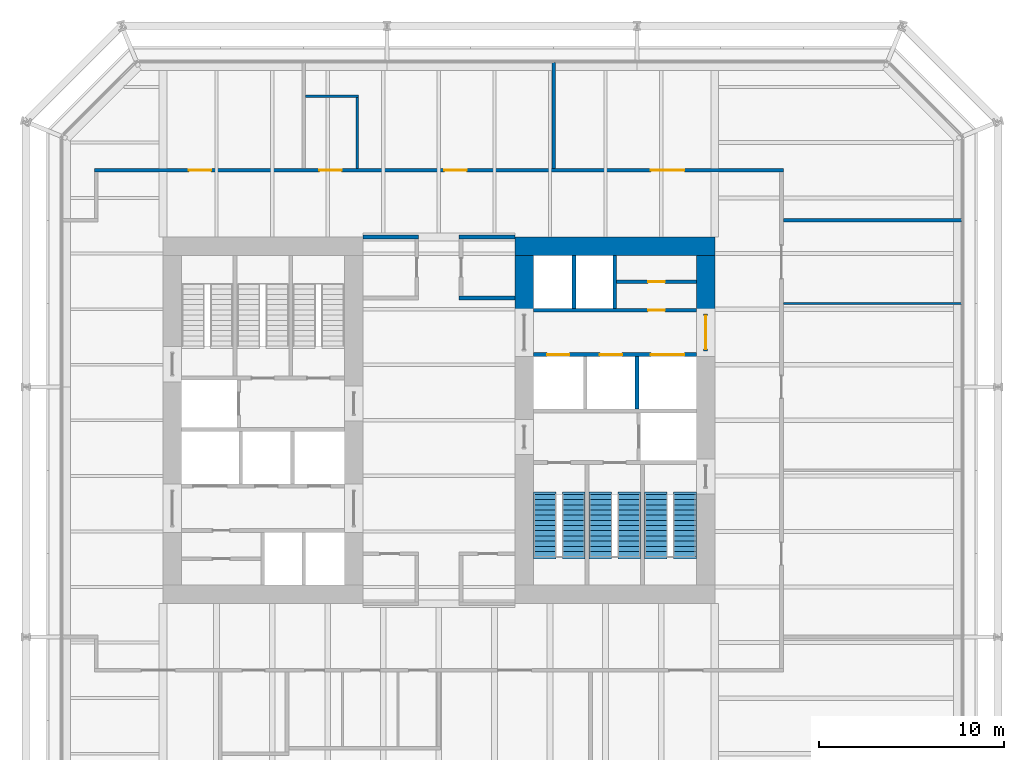
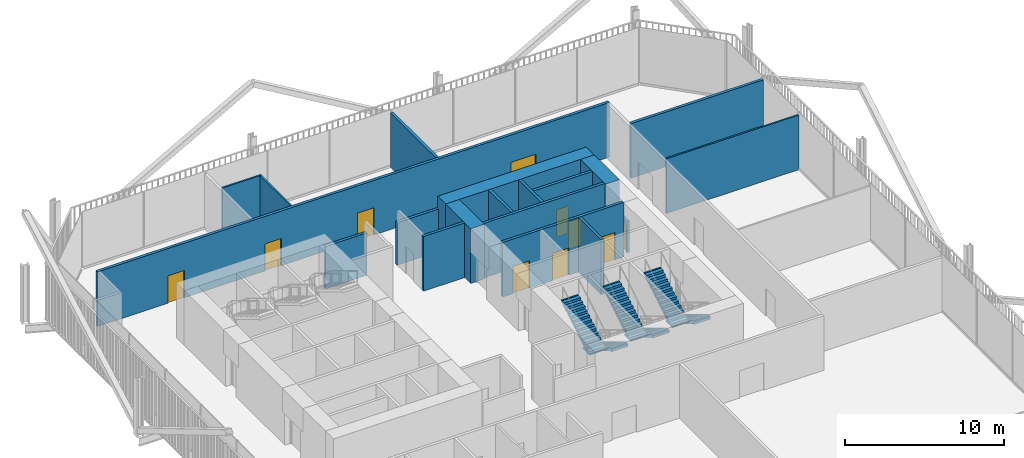
# One storey, part 19 of 21: 19 walls, 10 doors, 6 stair flights, 10 openings, 3 elements without a shape of their own.
"""IFC4 building model written with IfcOpenShell, lengths in metres."""

from ifc_helpers import new_model, si_unit, direction, frame, frame_2d, origin, place, context, subcontext, project, spatial, polyline, rectangle, outline, extrude, material, layer, layer_set, type_object, element, fill, aggregate, save


model = new_model("IFC4")

# Units and contexts
model_context = context("Model", 3, precision=1e-05, world=origin(), true_north=direction((0.0, 1.0)))
body_context = subcontext(model_context, "Body", "Model", "MODEL_VIEW")
ifc_project = project(units=[si_unit("LENGTHUNIT", "METRE"), si_unit("AREAUNIT", "SQUARE_METRE"), si_unit("VOLUMEUNIT", "CUBIC_METRE"), si_unit("PLANEANGLEUNIT", "RADIAN"), si_unit("MASSUNIT", "GRAM", prefix="KILO")], contexts=[model_context])

# Site, building, storey
site_placement = place(None, origin())
site = spatial("IfcSite", under=ifc_project, at=site_placement, CompositionType="ELEMENT")
building_placement = place(site_placement, origin())
building = spatial("IfcBuilding", under=site, at=building_placement, Name="Millrace Tower", CompositionType="ELEMENT")
storey_placement = place(building_placement, frame((0.0, 0.0, 95.199951171875)))
storey = spatial("IfcBuildingStorey", under=building, at=storey_placement, Name="L21", CompositionType="ELEMENT", Elevation=95.199951171875)

# Walls
ifc_material_1 = material(Name="Concrete C80", Category="concrete")
ifc_layer_1 = layer(ifc_material_1, 1.0)
ifc_layer_set_1 = layer_set([ifc_layer_1], Name="Concrete C80")
wall_type_1 = type_object("IfcWallType", Name="Core wall 1000 Concrete C80", PredefinedType="SHEAR", material=ifc_layer_set_1)
wall_1_placement = place(storey_placement, frame((14.89990234375, 9.39990234375, 0.0), z_axis=(0.0, 0.0, 1.0), x_axis=(-1.0, 0.0, 0.0)))
element("IfcWall", 1, at=wall_1_placement, inside=storey, type_object=wall_type_1, Name="Core wall E L21", PredefinedType="SHEAR", context=body_context, shape_type="SweptSolid", body=[
    extrude(rectangle(XDim=10.7998046875, YDim=1.0, at=frame_2d((5.39990234375, 0.0))), origin(), (0.0, 0.0, 1.0), 4.199951171875),
])
for number, where, z_axis, x_axis, name in (
    (2, (14.39990234375, 8.89990234375, 0.0), (0.0, 0.0, 1.0), (0.0, -1.0, 0.0), "Core wall E L21"),
    (3, (4.60009765625, 8.89990234375, 0.0), (0.0, 0.0, 1.0), (0.0, -1.0, 0.0), "Core wall E L21"),
):
    element("IfcWall", number, at=place(storey_placement, frame(where, z_axis=z_axis, x_axis=x_axis)), inside=storey, type_object=wall_type_1, Name=name, PredefinedType="SHEAR", context=body_context, shape_type="SweptSolid", body=[
        extrude(rectangle(XDim=3.14990234375, YDim=1.0, at=frame_2d((1.574951171875, 0.0))), origin(), (0.0, 0.0, 1.0), 4.199951171875),
    ])
ifc_material_2 = material(Name="Masonry partition, fire-rated", Category="masonry")
ifc_layer_2 = layer(ifc_material_2, 0.199951171875)
ifc_layer_set_2 = layer_set([ifc_layer_2], Name="Masonry partition, fire-rated")
wall_type_2 = type_object("IfcWallType", Name="Corridor wall 200", PredefinedType="PARTITIONING", material=ifc_layer_set_2)
wall_2_placement = place(storey_placement, frame((1.10009765625, 6.60009765625, 0.0), z_axis=(0.0, 0.0, 1.0), x_axis=(1.0, 0.0, 0.0)))
element("IfcWall", 4, at=wall_2_placement, inside=storey, type_object=wall_type_2, Name="Corridor wall L21", PredefinedType="PARTITIONING", context=body_context, shape_type="SweptSolid", body=[
    extrude(rectangle(XDim=3.0, YDim=0.199951171875, at=frame_2d((1.5, 0.0))), origin(), (0.0, 0.0, 1.0), 4.199951171875),
])
for number, where, z_axis, x_axis, name in (
    (5, (-4.10009765625, 9.89990234375, 0.0), (0.0, 0.0, 1.0), (1.0, 0.0, 0.0), "Corridor wall L21"),
    (6, (1.10009765625, 9.89990234375, 0.0), (0.0, 0.0, 1.0), (1.0, 0.0, 0.0), "Corridor wall L21"),
):
    element("IfcWall", number, at=place(storey_placement, frame(where, z_axis=z_axis, x_axis=x_axis)), inside=storey, type_object=wall_type_2, Name=name, PredefinedType="PARTITIONING", context=body_context, shape_type="SweptSolid", body=[
        extrude(rectangle(XDim=3.0, YDim=0.199951171875, at=frame_2d((1.5, 0.0))), origin(), (0.0, 0.0, 1.0), 3.2626953125),
    ])
wall_3_placement = place(storey_placement, frame((18.60009765625, 10.800048828125, 0.0), z_axis=(0.0, 0.0, 1.0), x_axis=(1.0, 0.0, 0.0)))
element("IfcWall", 7, at=wall_3_placement, inside=storey, type_object=wall_type_2, Name="Corridor wall L21", PredefinedType="PARTITIONING", context=body_context, shape_type="SweptSolid", body=[
    extrude(rectangle(XDim=9.6298828125, YDim=0.199951171875, at=frame_2d((4.81494140625, 0.0))), origin(), (0.0, 0.0, 1.0), 4.199951171875),
])

# Wall, openings, doors
wall_4_placement = place(storey_placement, frame((-18.60009765625, 13.5, 0.0), z_axis=(0.0, 0.0, 1.0), x_axis=(1.0, 0.0, 0.0)))
wall_4 = element("IfcWall", 8, at=wall_4_placement, inside=storey, type_object=wall_type_2, Name="Corridor wall L21", PredefinedType="PARTITIONING", context=body_context, shape_type="SweptSolid", body=[
    extrude(rectangle(XDim=37.2001953125, YDim=0.199951171875, at=frame_2d((18.60009765625, 0.0))), origin(), (0.0, 0.0, 1.0), 4.199951171875),
])
opening_1_placement = place(wall_4_placement, frame((5.10009765625, 0.0, 0.0)))
opening_1 = element("IfcOpeningElement", 9, at=opening_1_placement, cuts=wall_4, Name="Opening 21-P009", PredefinedType="OPENING", context=body_context, shape_type="SweptSolid", body=[
    extrude(rectangle(XDim=1.199951171875, YDim=2.10009765625, at=frame_2d((0.60009765625, 1.050048828125))), frame((0.0, 0.10986328125, 0.0), z_axis=(0.0, -1.0, 0.0), x_axis=(1.0, 0.0, 0.0)), (0.0, 0.0, 1.0), 0.219970703125),
])
opening_2_placement = place(wall_4_placement, frame((18.89990234375, 0.0, 0.0)))
opening_2 = element("IfcOpeningElement", 10, at=opening_2_placement, cuts=wall_4, Name="Opening 21-P010", PredefinedType="OPENING", context=body_context, shape_type="SweptSolid", body=[
    extrude(rectangle(XDim=1.199951171875, YDim=2.10009765625, at=frame_2d((0.60009765625, 1.050048828125))), frame((0.0, 0.10986328125, 0.0), z_axis=(0.0, -1.0, 0.0), x_axis=(1.0, 0.0, 0.0)), (0.0, 0.0, 1.0), 0.219970703125),
])
opening_3_placement = place(wall_4_placement, frame((12.14990234375, 0.0, 0.0)))
opening_3 = element("IfcOpeningElement", 11, at=opening_3_placement, cuts=wall_4, Name="Opening 21-P011", PredefinedType="OPENING", context=body_context, shape_type="SweptSolid", body=[
    extrude(rectangle(XDim=1.199951171875, YDim=2.10009765625, at=frame_2d((0.60009765625, 1.050048828125))), frame((0.0, 0.10986328125, 0.0), z_axis=(0.0, -1.0, 0.0), x_axis=(1.0, 0.0, 0.0)), (0.0, 0.0, 1.0), 0.219970703125),
])
opening_4_placement = place(wall_4_placement, frame((30.050048828125, 0.0, 0.0)))
opening_4 = element("IfcOpeningElement", 12, at=opening_4_placement, cuts=wall_4, Name="Opening 21-P012", PredefinedType="OPENING", context=body_context, shape_type="SweptSolid", body=[
    extrude(rectangle(XDim=1.800048828125, YDim=2.10009765625, at=frame_2d((0.89990234375, 1.050048828125))), frame((0.0, 0.10986328125, 0.0), z_axis=(0.0, -1.0, 0.0), x_axis=(1.0, 0.0, 0.0)), (0.0, 0.0, 1.0), 0.219970703125),
])
ifc_material_3 = material(Name="Steel door set, fire-rated", Category="steel")
door_type_1 = type_object("IfcDoorType", Name="Corridor door 1200 x 2100", OperationType="SINGLE_SWING_LEFT", PredefinedType="DOOR", material=ifc_material_3)
door_1_placement = place(opening_2_placement, origin())
door_1 = element("IfcDoor", 13, at=door_1_placement, inside=storey, type_object=door_type_1, Name="Door 21-P010", OperationType="SINGLE_SWING_RIGHT", OverallHeight=2.10009765625, OverallWidth=1.199951171875, PredefinedType="DOOR", context=body_context, shape_type="SweptSolid", body=[
    extrude(rectangle(XDim=1.199951171875, YDim=2.10009765625, at=frame_2d((0.60009765625, 1.050048828125))), frame((0.0, 0.02490234375, 0.0), z_axis=(0.0, -1.0, 0.0), x_axis=(1.0, 0.0, 0.0)), (0.0, 0.0, 1.0), 0.050048828125),
])
fill(opening_2, door_1)
door_2_placement = place(opening_3_placement, origin())
door_2 = element("IfcDoor", 14, at=door_2_placement, inside=storey, type_object=door_type_1, Name="Door 21-P011", OperationType="SINGLE_SWING_LEFT", OverallHeight=2.10009765625, OverallWidth=1.199951171875, PredefinedType="DOOR", context=body_context, shape_type="SweptSolid", body=[
    extrude(rectangle(XDim=1.199951171875, YDim=2.10009765625, at=frame_2d((0.60009765625, 1.050048828125))), frame((0.0, 0.02490234375, 0.0), z_axis=(0.0, -1.0, 0.0), x_axis=(1.0, 0.0, 0.0)), (0.0, 0.0, 1.0), 0.050048828125),
])
fill(opening_3, door_2)
ifc_material_4 = material(Name="Steel door set, fire-rated", Category="steel")
door_type_2 = type_object("IfcDoorType", Name="Data hall door 1200 x 2100", OperationType="SINGLE_SWING_LEFT", PredefinedType="DOOR", material=ifc_material_4)
door_3_placement = place(opening_1_placement, origin())
door_3 = element("IfcDoor", 15, at=door_3_placement, inside=storey, type_object=door_type_2, Name="Door 21-P009", OperationType="SINGLE_SWING_LEFT", OverallHeight=2.10009765625, OverallWidth=1.199951171875, PredefinedType="DOOR", context=body_context, shape_type="SweptSolid", body=[
    extrude(rectangle(XDim=1.199951171875, YDim=2.10009765625, at=frame_2d((0.60009765625, 1.050048828125))), frame((0.0, 0.02490234375, 0.0), z_axis=(0.0, -1.0, 0.0), x_axis=(1.0, 0.0, 0.0)), (0.0, 0.0, 1.0), 0.050048828125),
])
fill(opening_1, door_3)
ifc_material_5 = material(Name="Steel door set, fire-rated", Category="steel")
door_type_3 = type_object("IfcDoorType", Name="Data hall door 1800 x 2100", OperationType="DOUBLE_DOOR_SINGLE_SWING", PredefinedType="DOOR", material=ifc_material_5)
door_4_placement = place(opening_4_placement, origin())
door_4 = element("IfcDoor", 16, at=door_4_placement, inside=storey, type_object=door_type_3, Name="Door 21-P012", OperationType="DOUBLE_DOOR_SINGLE_SWING", OverallHeight=2.10009765625, OverallWidth=1.800048828125, PredefinedType="DOOR", context=body_context, shape_type="SweptSolid", body=[
    extrude(rectangle(XDim=1.800048828125, YDim=2.10009765625, at=frame_2d((0.89990234375, 1.050048828125))), frame((0.0, 0.02490234375, 0.0), z_axis=(0.0, -1.0, 0.0), x_axis=(1.0, 0.0, 0.0)), (0.0, 0.0, 1.0), 0.050048828125),
])
fill(opening_4, door_4)

# Wall
wall_5_placement = place(storey_placement, frame((6.199951171875, 13.60009765625, 0.0), z_axis=(0.0, 0.0, 1.0), x_axis=(0.0, 1.0, 0.0)))
element("IfcWall", 17, at=wall_5_placement, inside=storey, type_object=wall_type_2, Name="Corridor wall L21", PredefinedType="PARTITIONING", context=body_context, shape_type="SweptSolid", body=[
    extrude(rectangle(XDim=5.72998046875, YDim=0.199951171875, at=frame_2d((2.864990234375, 0.0))), origin(), (0.0, 0.0, 1.0), 4.199951171875),
])

# Wall, opening, door
ifc_material_6 = material(Name="Masonry partition, fire-rated", Category="masonry")
ifc_layer_3 = layer(ifc_material_6, 0.199951171875)
ifc_layer_set_3 = layer_set([ifc_layer_3], Name="Masonry partition, fire-rated")
wall_type_3 = type_object("IfcWallType", Name="Lift shaft wall 200", PredefinedType="PARTITIONING", material=ifc_layer_set_3)
wall_6_placement = place(storey_placement, frame((13.89990234375, 5.949951171875, 0.0), z_axis=(0.0, 0.0, 1.0), x_axis=(-1.0, 0.0, 0.0)))
wall_6 = element("IfcWall", 18, at=wall_6_placement, inside=storey, type_object=wall_type_3, Name="Lift shaft wall E L21", PredefinedType="PARTITIONING", context=body_context, shape_type="SweptSolid", body=[
    extrude(rectangle(XDim=8.7998046875, YDim=0.199951171875, at=frame_2d((4.39990234375, 0.0))), origin(), (0.0, 0.0, 1.0), 4.199951171875),
])
opening_5_placement = place(wall_6_placement, frame((1.699951171875, 0.0, 0.0)))
opening_5 = element("IfcOpeningElement", 19, at=opening_5_placement, cuts=wall_6, Name="Opening 21-C013", PredefinedType="OPENING", context=body_context, shape_type="SweptSolid", body=[
    extrude(rectangle(XDim=0.89990234375, YDim=2.10009765625, at=frame_2d((0.449951171875, 1.050048828125))), frame((0.0, 0.10986328125, 0.0), z_axis=(0.0, -1.0, 0.0), x_axis=(1.0, 0.0, 0.0)), (0.0, 0.0, 1.0), 0.219970703125),
])
ifc_material_7 = material(Name="Steel door, fire-rated", Category="steel")
door_type_4 = type_object("IfcDoorType", Name="Service room door 900 x 2100", OperationType="SINGLE_SWING_LEFT", PredefinedType="DOOR", material=ifc_material_7)
door_5_placement = place(opening_5_placement, origin())
door_5 = element("IfcDoor", 20, at=door_5_placement, inside=storey, type_object=door_type_4, Name="Service room door 21-C013", OperationType="SINGLE_SWING_LEFT", OverallHeight=2.10009765625, OverallWidth=0.89990234375, PredefinedType="DOOR", context=body_context, shape_type="SweptSolid", body=[
    extrude(rectangle(XDim=0.89990234375, YDim=2.10009765625, at=frame_2d((0.449951171875, 1.050048828125))), frame((0.0, 0.02490234375, 0.0), z_axis=(0.0, -1.0, 0.0), x_axis=(1.0, 0.0, 0.0)), (0.0, 0.0, 1.0), 0.050048828125),
])
fill(opening_5, door_5)

# Wall, openings, doors
wall_7_placement = place(storey_placement, frame((13.89990234375, 3.550048828125, 0.0), z_axis=(0.0, 0.0, 1.0), x_axis=(-1.0, 0.0, 0.0)))
wall_7 = element("IfcWall", 21, at=wall_7_placement, inside=storey, type_object=wall_type_3, Name="Lift shaft wall E L21", PredefinedType="PARTITIONING", context=body_context, shape_type="SweptSolid", body=[
    extrude(rectangle(XDim=8.7998046875, YDim=0.199951171875, at=frame_2d((4.39990234375, 0.0))), origin(), (0.0, 0.0, 1.0), 4.199951171875),
])
opening_6_placement = place(wall_7_placement, frame((0.64990234375, 0.0, 0.0)))
opening_6 = element("IfcOpeningElement", 22, at=opening_6_placement, cuts=wall_7, Name="Opening 21-LD13", PredefinedType="OPENING", context=body_context, shape_type="SweptSolid", body=[
    extrude(rectangle(XDim=1.800048828125, YDim=2.10009765625, at=frame_2d((0.89990234375, 1.050048828125))), frame((0.0, 0.10986328125, 0.0), z_axis=(0.0, -1.0, 0.0), x_axis=(1.0, 0.0, 0.0)), (0.0, 0.0, 1.0), 0.219970703125),
])
opening_7_placement = place(wall_7_placement, frame((4.0, 0.0, 0.0)))
opening_7 = element("IfcOpeningElement", 23, at=opening_7_placement, cuts=wall_7, Name="Opening 21-LD14", PredefinedType="OPENING", context=body_context, shape_type="SweptSolid", body=[
    extrude(rectangle(XDim=1.199951171875, YDim=2.10009765625, at=frame_2d((0.60009765625, 1.050048828125))), frame((0.0, 0.10986328125, 0.0), z_axis=(0.0, -1.0, 0.0), x_axis=(1.0, 0.0, 0.0)), (0.0, 0.0, 1.0), 0.219970703125),
])
opening_8_placement = place(wall_7_placement, frame((6.85009765625, 0.0, 0.0)))
opening_8 = element("IfcOpeningElement", 24, at=opening_8_placement, cuts=wall_7, Name="Opening 21-LD15", PredefinedType="OPENING", context=body_context, shape_type="SweptSolid", body=[
    extrude(rectangle(XDim=1.199951171875, YDim=2.10009765625, at=frame_2d((0.60009765625, 1.050048828125))), frame((0.0, 0.10986328125, 0.0), z_axis=(0.0, -1.0, 0.0), x_axis=(1.0, 0.0, 0.0)), (0.0, 0.0, 1.0), 0.219970703125),
])
ifc_material_8 = material(Name="Stainless steel, fire-rated", Category="steel")
door_type_5 = type_object("IfcDoorType", Name="Lift landing door 1200 x 2100", OperationType="DOUBLE_DOOR_SLIDING", PredefinedType="DOOR", material=ifc_material_8)
door_6_placement = place(opening_7_placement, origin())
door_6 = element("IfcDoor", 25, at=door_6_placement, inside=storey, type_object=door_type_5, Name="Lift landing door LF14 L21", OperationType="DOUBLE_DOOR_SLIDING", OverallHeight=2.10009765625, OverallWidth=1.199951171875, PredefinedType="DOOR", context=body_context, shape_type="SweptSolid", body=[
    extrude(rectangle(XDim=1.199951171875, YDim=2.10009765625, at=frame_2d((0.60009765625, 1.050048828125))), frame((0.0, 0.02490234375, 0.0), z_axis=(0.0, -1.0, 0.0), x_axis=(1.0, 0.0, 0.0)), (0.0, 0.0, 1.0), 0.050048828125),
])
fill(opening_7, door_6)
door_7_placement = place(opening_8_placement, origin())
door_7 = element("IfcDoor", 26, at=door_7_placement, inside=storey, type_object=door_type_5, Name="Lift landing door LF15 L21", OperationType="DOUBLE_DOOR_SLIDING", OverallHeight=2.10009765625, OverallWidth=1.199951171875, PredefinedType="DOOR", context=body_context, shape_type="SweptSolid", body=[
    extrude(rectangle(XDim=1.199951171875, YDim=2.10009765625, at=frame_2d((0.60009765625, 1.050048828125))), frame((0.0, 0.02490234375, 0.0), z_axis=(0.0, -1.0, 0.0), x_axis=(1.0, 0.0, 0.0)), (0.0, 0.0, 1.0), 0.050048828125),
])
fill(opening_8, door_7)
ifc_material_9 = material(Name="Stainless steel, fire-rated", Category="steel")
door_type_6 = type_object("IfcDoorType", Name="Lift landing door 1800 x 2100", OperationType="DOUBLE_DOOR_SLIDING", PredefinedType="DOOR", material=ifc_material_9)
door_8_placement = place(opening_6_placement, origin())
door_8 = element("IfcDoor", 27, at=door_8_placement, inside=storey, type_object=door_type_6, Name="Lift landing door LF13 L21", OperationType="DOUBLE_DOOR_SLIDING", OverallHeight=2.10009765625, OverallWidth=1.800048828125, PredefinedType="DOOR", context=body_context, shape_type="SweptSolid", body=[
    extrude(rectangle(XDim=1.800048828125, YDim=2.10009765625, at=frame_2d((0.89990234375, 1.050048828125))), frame((0.0, 0.02490234375, 0.0), z_axis=(0.0, -1.0, 0.0), x_axis=(1.0, 0.0, 0.0)), (0.0, 0.0, 1.0), 0.050048828125),
])
fill(opening_6, door_8)

# Walls
for number, where, z_axis, x_axis, name in (
    (28, (9.5, 8.89990234375, 0.0), (0.0, 0.0, 1.0), (0.0, -1.0, 0.0), "Lift shaft wall E L21"),
    (29, (7.300048828125, 8.89990234375, 0.0), (0.0, 0.0, 1.0), (0.0, -1.0, 0.0), "Lift shaft wall E L21"),
    (30, (10.699951171875, 3.449951171875, 0.0), (0.0, 0.0, 1.0), (0.0, -1.0, 0.0), "Lift shaft wall E L21"),
):
    element("IfcWall", number, at=place(storey_placement, frame(where, z_axis=z_axis, x_axis=x_axis)), inside=storey, type_object=wall_type_3, Name=name, PredefinedType="PARTITIONING", context=body_context, shape_type="SweptSolid", body=[
        extrude(rectangle(XDim=2.849853515625, YDim=0.199951171875, at=frame_2d((1.4248046875, 0.0))), origin(), (0.0, 0.0, 1.0), 4.199951171875),
    ])

# Wall, opening, door
ifc_material_10 = material(Name="Masonry partition, fire-rated", Category="masonry")
ifc_layer_4 = layer(ifc_material_10, 0.199951171875)
ifc_layer_set_4 = layer_set([ifc_layer_4], Name="Masonry partition, fire-rated")
wall_type_4 = type_object("IfcWallType", Name="Lobby wall 200", PredefinedType="PARTITIONING", material=ifc_layer_set_4)
wall_8_placement = place(storey_placement, frame((14.39990234375, 5.75, 0.0), z_axis=(0.0, 0.0, 1.0), x_axis=(0.0, -1.0, 0.0)))
wall_8 = element("IfcWall", 31, at=wall_8_placement, inside=storey, type_object=wall_type_4, Name="Lobby wall E L21", PredefinedType="PARTITIONING", context=body_context, shape_type="SweptSolid", body=[
    extrude(rectangle(XDim=2.0, YDim=0.199951171875, at=frame_2d((1.0, 0.0))), origin(), (0.0, 0.0, 1.0), 2.400146484375),
])
opening_9_placement = place(wall_8_placement, frame((0.10009765625, 0.0, 0.0)))
opening_9 = element("IfcOpeningElement", 32, at=opening_9_placement, cuts=wall_8, Name="Opening 21-C009", PredefinedType="OPENING", context=body_context, shape_type="SweptSolid", body=[
    extrude(rectangle(XDim=1.800048828125, YDim=2.10009765625, at=frame_2d((0.89990234375, 1.050048828125))), frame((0.0, 0.10986328125, 0.0), z_axis=(0.0, -1.0, 0.0), x_axis=(1.0, 0.0, 0.0)), (0.0, 0.0, 1.0), 0.219970703125),
])
ifc_material_11 = material(Name="Steel door, fire-rated", Category="steel")
door_type_7 = type_object("IfcDoorType", Name="Lobby door 1800 x 2100", OperationType="DOUBLE_DOOR_SINGLE_SWING", PredefinedType="DOOR", material=ifc_material_11)
door_9_placement = place(opening_9_placement, origin())
door_9 = element("IfcDoor", 33, at=door_9_placement, inside=storey, type_object=door_type_7, Name="Lobby door 21-C009", OperationType="DOUBLE_DOOR_SINGLE_SWING", OverallHeight=2.10009765625, OverallWidth=1.800048828125, PredefinedType="DOOR", context=body_context, shape_type="SweptSolid", body=[
    extrude(rectangle(XDim=1.800048828125, YDim=2.10009765625, at=frame_2d((0.89990234375, 1.050048828125))), frame((0.0, 0.02490234375, 0.0), z_axis=(0.0, -1.0, 0.0), x_axis=(1.0, 0.0, 0.0)), (0.0, 0.0, 1.0), 0.050048828125),
])
fill(opening_9, door_9)

# Walls
ifc_material_12 = material(Name="Gypsum board partition")
ifc_layer_5 = layer(ifc_material_12, 0.1201171875)
ifc_layer_set_5 = layer_set([ifc_layer_5], Name="Gypsum board partition")
wall_type_5 = type_object("IfcWallType", Name="Partition wall 120", PredefinedType="PARTITIONING", material=ifc_layer_set_5)
wall_9_placement = place(storey_placement, frame((18.60009765625, 6.300048828125, 0.0), z_axis=(0.0, 0.0, 1.0), x_axis=(1.0, 0.0, 0.0)))
element("IfcWall", 34, at=wall_9_placement, inside=storey, type_object=wall_type_5, Name="Partition wall L21", PredefinedType="PARTITIONING", context=body_context, shape_type="SweptSolid", body=[
    extrude(rectangle(XDim=9.6298828125, YDim=0.1201171875, at=frame_2d((4.81494140625, 0.0))), origin(), (0.0, 0.0, 1.0), 4.199951171875),
])
wall_10_placement = place(storey_placement, frame((-7.199951171875, 17.5, 0.0), z_axis=(0.0, 0.0, 1.0), x_axis=(1.0, 0.0, 0.0)))
element("IfcWall", 35, at=wall_10_placement, inside=storey, type_object=wall_type_5, Name="Partition wall L21", PredefinedType="PARTITIONING", context=body_context, shape_type="SweptSolid", body=[
    extrude(rectangle(XDim=2.85986328125, YDim=0.1201171875, at=frame_2d((1.429931640625, 0.0))), origin(), (0.0, 0.0, 1.0), 4.199951171875),
])
wall_11_placement = place(storey_placement, frame((-4.39990234375, 13.60009765625, 0.0), z_axis=(0.0, 0.0, 1.0), x_axis=(0.0, 1.0, 0.0)))
element("IfcWall", 36, at=wall_11_placement, inside=storey, type_object=wall_type_5, Name="Partition wall L21", PredefinedType="PARTITIONING", context=body_context, shape_type="SweptSolid", body=[
    extrude(rectangle(XDim=3.83984375, YDim=0.1201171875, at=frame_2d((1.919921875, 0.0))), origin(), (0.0, 0.0, 1.0), 4.199951171875),
])

# Wall, opening, door
ifc_material_13 = material(Name="Masonry partition, fire-rated", Category="masonry")
ifc_layer_6 = layer(ifc_material_13, 0.199951171875)
ifc_layer_set_6 = layer_set([ifc_layer_6], Name="Masonry partition, fire-rated")
wall_type_6 = type_object("IfcWallType", Name="Room partition 200", PredefinedType="PARTITIONING", material=ifc_layer_set_6)
wall_12_placement = place(storey_placement, frame((13.89990234375, 7.47509765625, 0.0), z_axis=(0.0, 0.0, 1.0), x_axis=(-1.0, 0.0, 0.0)))
wall_12 = element("IfcWall", 37, at=wall_12_placement, inside=storey, type_object=wall_type_6, Name="Room partition E L21", PredefinedType="PARTITIONING", context=body_context, shape_type="SweptSolid", body=[
    extrude(rectangle(XDim=4.2998046875, YDim=0.199951171875, at=frame_2d((2.14990234375, 0.0))), origin(), (0.0, 0.0, 1.0), 4.199951171875),
])
opening_10_placement = place(wall_12_placement, frame((1.699951171875, 0.0, 0.0)))
opening_10 = element("IfcOpeningElement", 38, at=opening_10_placement, cuts=wall_12, Name="Opening 21-C014", PredefinedType="OPENING", context=body_context, shape_type="SweptSolid", body=[
    extrude(rectangle(XDim=0.89990234375, YDim=2.10009765625, at=frame_2d((0.449951171875, 1.050048828125))), frame((0.0, 0.10986328125, 0.0), z_axis=(0.0, -1.0, 0.0), x_axis=(1.0, 0.0, 0.0)), (0.0, 0.0, 1.0), 0.219970703125),
])
door_10_placement = place(opening_10_placement, frame((0.89990234375, 0.0, 0.0), z_axis=(0.0, 0.0, 1.0), x_axis=(-1.0, 0.0, 0.0)))
door_10 = element("IfcDoor", 39, at=door_10_placement, inside=storey, type_object=door_type_4, Name="Service room door 21-C014", OperationType="SINGLE_SWING_LEFT", OverallHeight=2.10009765625, OverallWidth=0.89990234375, PredefinedType="DOOR", context=body_context, shape_type="SweptSolid", body=[
    extrude(rectangle(XDim=0.89990234375, YDim=2.10009765625, at=frame_2d((0.449951171875, 1.050048828125))), frame((0.0, 0.02490234375, 0.0), z_axis=(0.0, -1.0, 0.0), x_axis=(1.0, 0.0, 0.0)), (0.0, 0.0, 1.0), 0.050048828125),
])
fill(opening_10, door_10)

# Stair, stair flights
ifc_material_14 = material(Name="Concrete C35", Category="concrete")
stair_type = type_object("IfcStairType", Name="Exit stair", PredefinedType="HALF_TURN_STAIR", material=ifc_material_14)
placement = place(storey_placement, origin())
stair_1 = element("IfcStair", 40, at=placement, inside=storey, type_object=stair_type, Name="Stair 1 E L21", PredefinedType="HALF_TURN_STAIR")
ifc_material_15 = material(Name="Concrete C35", Category="concrete")
stair_flight_type = type_object("IfcStairFlightType", Name="Exit stair flight", PredefinedType="STRAIGHT", material=ifc_material_15)
stair_flight_1_placement = place(storey_placement, frame((13.2900390625, -4.0, 0.0), z_axis=(0.0, 0.0, 1.0), x_axis=(0.0, -1.0, 0.0)))
stair_flight_1 = element("IfcStairFlight", 41, at=stair_flight_1_placement, type_object=stair_flight_type, Name="ST12 flight 1", NumberOfRisers=13, NumberOfTreads=12, PredefinedType="STRAIGHT", RiserHeight=0.169230769, TreadLength=0.28, context=body_context, shape_type="SweptSolid", body=[
    extrude(outline(polyline([(-0.1201171875, -0.0400390625), (-0.1201171875, 0.0), (0.0, 0.0), (0.0, 0.169189453125), (0.280029296875, 0.169189453125), (0.280029296875, 0.33837890625), (0.56005859375, 0.33837890625), (0.56005859375, 0.5078125), (0.840087890625, 0.5078125), (0.840087890625, 0.677001953125), (1.1201171875, 0.677001953125), (1.1201171875, 0.84619140625), (1.39990234375, 0.84619140625), (1.39990234375, 1.015380859375), (1.679931640625, 1.015380859375), (1.679931640625, 1.1845703125), (1.9599609375, 1.1845703125), (1.9599609375, 1.353759765625), (2.239990234375, 1.353759765625), (2.239990234375, 1.523193359375), (2.52001953125, 1.523193359375), (2.52001953125, 1.6923828125), (2.800048828125, 1.6923828125), (2.800048828125, 1.861572265625), (3.080078125, 1.861572265625), (3.080078125, 2.03076171875), (3.360107421875, 2.03076171875), (3.360107421875, 2.05078125), (3.47998046875, 2.05078125), (3.47998046875, 1.855712890625), (3.360107421875, 1.855712890625), (0.289794921875, 0.0), (0.289794921875, -0.0400390625), (-0.1201171875, -0.0400390625)])), frame((0.0, 0.60986328125, 0.0), z_axis=(0.0, -1.0, 0.0), x_axis=(1.0, 0.0, 0.0)), (0.0, 0.0, 1.0), 1.219970703125),
])
stair_flight_2_placement = place(storey_placement, frame((11.7099609375, -7.360107421875, 2.199951171875), z_axis=(0.0, 0.0, 1.0), x_axis=(0.0, 1.0, 0.0)))
stair_flight_2 = element("IfcStairFlight", 42, at=stair_flight_2_placement, type_object=stair_flight_type, Name="ST12 flight 2", NumberOfRisers=13, NumberOfTreads=12, PredefinedType="STRAIGHT", RiserHeight=0.169230769, TreadLength=0.28, context=body_context, shape_type="SweptSolid", body=[
    extrude(outline(polyline([(-0.1201171875, -0.0400390625), (-0.1201171875, 0.0), (0.0, 0.0), (0.0, 0.169189453125), (0.280029296875, 0.169189453125), (0.280029296875, 0.33837890625), (0.56005859375, 0.33837890625), (0.56005859375, 0.5078125), (0.840087890625, 0.5078125), (0.840087890625, 0.677001953125), (1.1201171875, 0.677001953125), (1.1201171875, 0.84619140625), (1.39990234375, 0.84619140625), (1.39990234375, 1.015380859375), (1.679931640625, 1.015380859375), (1.679931640625, 1.1845703125), (1.9599609375, 1.1845703125), (1.9599609375, 1.353759765625), (2.239990234375, 1.353759765625), (2.239990234375, 1.523193359375), (2.52001953125, 1.523193359375), (2.52001953125, 1.6923828125), (2.800048828125, 1.6923828125), (2.800048828125, 1.861572265625), (3.080078125, 1.861572265625), (3.080078125, 2.03076171875), (3.360107421875, 2.03076171875), (3.360107421875, 2.05078125), (3.47998046875, 2.05078125), (3.47998046875, 1.855712890625), (3.360107421875, 1.855712890625), (0.289794921875, 0.0), (0.289794921875, -0.0400390625), (-0.1201171875, -0.0400390625)])), frame((0.0, 0.60986328125, 0.0), z_axis=(0.0, -1.0, 0.0), x_axis=(1.0, 0.0, 0.0)), (0.0, 0.0, 1.0), 1.219970703125),
])
aggregate(stair_1, [stair_flight_1, stair_flight_2])

stair_2 = element("IfcStair", 43, at=placement, inside=storey, type_object=stair_type, Name="Stair 2 E L21", PredefinedType="HALF_TURN_STAIR")
stair_flight_3_placement = place(storey_placement, frame((10.2900390625, -4.0, 0.0), z_axis=(0.0, 0.0, 1.0), x_axis=(0.0, -1.0, 0.0)))
stair_flight_3 = element("IfcStairFlight", 44, at=stair_flight_3_placement, type_object=stair_flight_type, Name="ST12 flight 1", NumberOfRisers=13, NumberOfTreads=12, PredefinedType="STRAIGHT", RiserHeight=0.169230769, TreadLength=0.28, context=body_context, shape_type="SweptSolid", body=[
    extrude(outline(polyline([(-0.1201171875, -0.0400390625), (-0.1201171875, 0.0), (0.0, 0.0), (0.0, 0.169189453125), (0.280029296875, 0.169189453125), (0.280029296875, 0.33837890625), (0.56005859375, 0.33837890625), (0.56005859375, 0.5078125), (0.840087890625, 0.5078125), (0.840087890625, 0.677001953125), (1.1201171875, 0.677001953125), (1.1201171875, 0.84619140625), (1.39990234375, 0.84619140625), (1.39990234375, 1.015380859375), (1.679931640625, 1.015380859375), (1.679931640625, 1.1845703125), (1.9599609375, 1.1845703125), (1.9599609375, 1.353759765625), (2.239990234375, 1.353759765625), (2.239990234375, 1.523193359375), (2.52001953125, 1.523193359375), (2.52001953125, 1.6923828125), (2.800048828125, 1.6923828125), (2.800048828125, 1.861572265625), (3.080078125, 1.861572265625), (3.080078125, 2.03076171875), (3.360107421875, 2.03076171875), (3.360107421875, 2.05078125), (3.47998046875, 2.05078125), (3.47998046875, 1.855712890625), (3.360107421875, 1.855712890625), (0.289794921875, 0.0), (0.289794921875, -0.0400390625), (-0.1201171875, -0.0400390625)])), frame((0.0, 0.60986328125, 0.0), z_axis=(0.0, -1.0, 0.0), x_axis=(1.0, 0.0, 0.0)), (0.0, 0.0, 1.0), 1.219970703125),
])
stair_flight_4_placement = place(storey_placement, frame((8.7099609375, -7.360107421875, 2.199951171875), z_axis=(0.0, 0.0, 1.0), x_axis=(0.0, 1.0, 0.0)))
stair_flight_4 = element("IfcStairFlight", 45, at=stair_flight_4_placement, type_object=stair_flight_type, Name="ST12 flight 2", NumberOfRisers=13, NumberOfTreads=12, PredefinedType="STRAIGHT", RiserHeight=0.169230769, TreadLength=0.28, context=body_context, shape_type="SweptSolid", body=[
    extrude(outline(polyline([(-0.1201171875, -0.0400390625), (-0.1201171875, 0.0), (0.0, 0.0), (0.0, 0.169189453125), (0.280029296875, 0.169189453125), (0.280029296875, 0.33837890625), (0.56005859375, 0.33837890625), (0.56005859375, 0.5078125), (0.840087890625, 0.5078125), (0.840087890625, 0.677001953125), (1.1201171875, 0.677001953125), (1.1201171875, 0.84619140625), (1.39990234375, 0.84619140625), (1.39990234375, 1.015380859375), (1.679931640625, 1.015380859375), (1.679931640625, 1.1845703125), (1.9599609375, 1.1845703125), (1.9599609375, 1.353759765625), (2.239990234375, 1.353759765625), (2.239990234375, 1.523193359375), (2.52001953125, 1.523193359375), (2.52001953125, 1.6923828125), (2.800048828125, 1.6923828125), (2.800048828125, 1.861572265625), (3.080078125, 1.861572265625), (3.080078125, 2.03076171875), (3.360107421875, 2.03076171875), (3.360107421875, 2.05078125), (3.47998046875, 2.05078125), (3.47998046875, 1.855712890625), (3.360107421875, 1.855712890625), (0.289794921875, 0.0), (0.289794921875, -0.0400390625), (-0.1201171875, -0.0400390625)])), frame((0.0, 0.60986328125, 0.0), z_axis=(0.0, -1.0, 0.0), x_axis=(1.0, 0.0, 0.0)), (0.0, 0.0, 1.0), 1.219970703125),
])
aggregate(stair_2, [stair_flight_3, stair_flight_4])

stair_3 = element("IfcStair", 46, at=placement, inside=storey, type_object=stair_type, Name="Stair 3 E L21", PredefinedType="HALF_TURN_STAIR")
stair_flight_5_placement = place(storey_placement, frame((7.2900390625, -4.0, 0.0), z_axis=(0.0, 0.0, 1.0), x_axis=(0.0, -1.0, 0.0)))
stair_flight_5 = element("IfcStairFlight", 47, at=stair_flight_5_placement, type_object=stair_flight_type, Name="ST12 flight 1", NumberOfRisers=13, NumberOfTreads=12, PredefinedType="STRAIGHT", RiserHeight=0.169230769, TreadLength=0.28, context=body_context, shape_type="SweptSolid", body=[
    extrude(outline(polyline([(-0.1201171875, -0.0400390625), (-0.1201171875, 0.0), (0.0, 0.0), (0.0, 0.169189453125), (0.280029296875, 0.169189453125), (0.280029296875, 0.33837890625), (0.56005859375, 0.33837890625), (0.56005859375, 0.5078125), (0.840087890625, 0.5078125), (0.840087890625, 0.677001953125), (1.1201171875, 0.677001953125), (1.1201171875, 0.84619140625), (1.39990234375, 0.84619140625), (1.39990234375, 1.015380859375), (1.679931640625, 1.015380859375), (1.679931640625, 1.1845703125), (1.9599609375, 1.1845703125), (1.9599609375, 1.353759765625), (2.239990234375, 1.353759765625), (2.239990234375, 1.523193359375), (2.52001953125, 1.523193359375), (2.52001953125, 1.6923828125), (2.800048828125, 1.6923828125), (2.800048828125, 1.861572265625), (3.080078125, 1.861572265625), (3.080078125, 2.03076171875), (3.360107421875, 2.03076171875), (3.360107421875, 2.05078125), (3.47998046875, 2.05078125), (3.47998046875, 1.855712890625), (3.360107421875, 1.855712890625), (0.289794921875, 0.0), (0.289794921875, -0.0400390625), (-0.1201171875, -0.0400390625)])), frame((0.0, 0.60986328125, 0.0), z_axis=(0.0, -1.0, 0.0), x_axis=(1.0, 0.0, 0.0)), (0.0, 0.0, 1.0), 1.219970703125),
])
stair_flight_6_placement = place(storey_placement, frame((5.7099609375, -7.360107421875, 2.199951171875), z_axis=(0.0, 0.0, 1.0), x_axis=(0.0, 1.0, 0.0)))
stair_flight_6 = element("IfcStairFlight", 48, at=stair_flight_6_placement, type_object=stair_flight_type, Name="ST12 flight 2", NumberOfRisers=13, NumberOfTreads=12, PredefinedType="STRAIGHT", RiserHeight=0.169230769, TreadLength=0.28, context=body_context, shape_type="SweptSolid", body=[
    extrude(outline(polyline([(-0.1201171875, -0.0400390625), (-0.1201171875, 0.0), (0.0, 0.0), (0.0, 0.169189453125), (0.280029296875, 0.169189453125), (0.280029296875, 0.33837890625), (0.56005859375, 0.33837890625), (0.56005859375, 0.5078125), (0.840087890625, 0.5078125), (0.840087890625, 0.677001953125), (1.1201171875, 0.677001953125), (1.1201171875, 0.84619140625), (1.39990234375, 0.84619140625), (1.39990234375, 1.015380859375), (1.679931640625, 1.015380859375), (1.679931640625, 1.1845703125), (1.9599609375, 1.1845703125), (1.9599609375, 1.353759765625), (2.239990234375, 1.353759765625), (2.239990234375, 1.523193359375), (2.52001953125, 1.523193359375), (2.52001953125, 1.6923828125), (2.800048828125, 1.6923828125), (2.800048828125, 1.861572265625), (3.080078125, 1.861572265625), (3.080078125, 2.03076171875), (3.360107421875, 2.03076171875), (3.360107421875, 2.05078125), (3.47998046875, 2.05078125), (3.47998046875, 1.855712890625), (3.360107421875, 1.855712890625), (0.289794921875, 0.0), (0.289794921875, -0.0400390625), (-0.1201171875, -0.0400390625)])), frame((0.0, 0.60986328125, 0.0), z_axis=(0.0, -1.0, 0.0), x_axis=(1.0, 0.0, 0.0)), (0.0, 0.0, 1.0), 1.219970703125),
])
aggregate(stair_3, [stair_flight_5, stair_flight_6])

save(model, "model.ifc")
